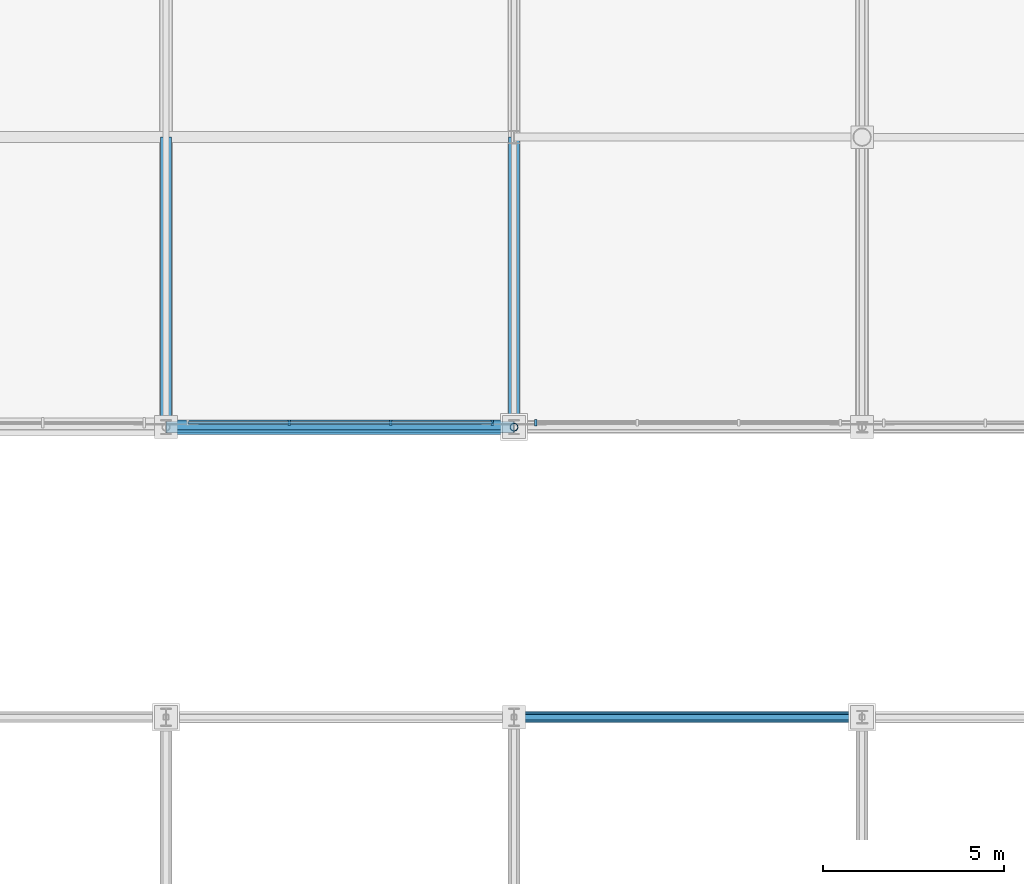
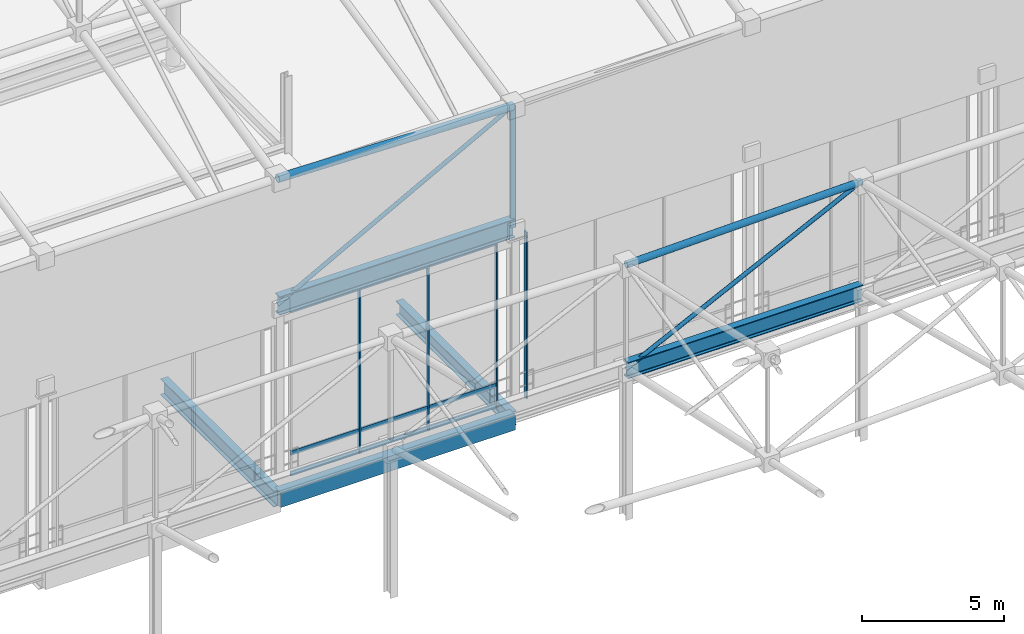
# One storey, part 97 of 193: 12 members, 5 beams, 2 elements without a shape of their own.
"""IFC4 building model written with IfcOpenShell, lengths in metres."""

from ifc_helpers import new_model, si_unit, direction, frame, origin, origin_2d, place, context, subcontext, project, spatial, rectangle, hollow_circle, i_section, extrude, material, material_profile, profile_set, type_object, element, aggregate, save


model = new_model("IFC4")

# Units and contexts
model_context = context("Model", 3, precision=1e-05, world=origin(), true_north=direction((0.0, 1.0)))
body_context = subcontext(model_context, "Body", "Model", "MODEL_VIEW")
ifc_project = project(units=[si_unit("LENGTHUNIT", "METRE"), si_unit("AREAUNIT", "SQUARE_METRE"), si_unit("VOLUMEUNIT", "CUBIC_METRE"), si_unit("PLANEANGLEUNIT", "RADIAN"), si_unit("MASSUNIT", "GRAM", prefix="KILO")], contexts=[model_context])

# Site, building, storey
site_placement = place(None, origin())
site = spatial("IfcSite", under=ifc_project, at=site_placement, CompositionType="ELEMENT")
building_placement = place(site_placement, origin())
building = spatial("IfcBuilding", under=site, at=building_placement, Name="Danafjord Basin Convention Centre", CompositionType="ELEMENT")
storey_placement = place(building_placement, frame((0.0, 0.0, 11.39990234375)))
storey = spatial("IfcBuildingStorey", under=building, at=storey_placement, Name="L02", CompositionType="ELEMENT", Elevation=11.39990234375)

# Beams
ifc_material_1 = material(Name="Steel S355", Category="steel")
ifc_material_profile_1 = material_profile(ifc_material_1, i_section(OverallWidth=0.300048828125, OverallDepth=0.60009765625, WebThickness=0.015380859375, FlangeThickness=0.030029296875, FilletRadius=0.027099609375, at=origin_2d()), Name="HEB 600")
ifc_profile_set_1 = profile_set([ifc_material_profile_1], Name="Steel S355")
beam_type_1 = type_object("IfcBeamType", Name="BEAM-BM-HEB600", PredefinedType="BEAM", material=ifc_profile_set_1)
beam_1_placement = place(storey_placement, frame((172.800048828125, 88.0, -0.659912109375), z_axis=(0.0, 1.0, 0.0), x_axis=(-1.0, 0.0, 0.0)))
element("IfcBeam", 1, at=beam_1_placement, inside=storey, type_object=beam_type_1, Name="L02 transverse girder BM-HEB600", PredefinedType="BEAM", context=body_context, shape_type="SweptSolid", body=[
    extrude(i_section(OverallWidth=0.300048828125, OverallDepth=0.60009765625, WebThickness=0.015380859375, FlangeThickness=0.030029296875, FilletRadius=0.027099609375, at=origin_2d()), origin(), (0.0, 0.0, 1.0), 8.0),
])
ifc_material_profile_2 = material_profile(ifc_material_1, i_section(OverallWidth=0.300048828125, OverallDepth=0.699951171875, WebThickness=0.01708984375, FlangeThickness=0.031982421875, FilletRadius=0.027099609375, at=origin_2d()), Name="HEB 700")
ifc_profile_set_2 = profile_set([ifc_material_profile_2], Name="Steel S355")
beam_type_2 = type_object("IfcBeamType", Name="BEAM-BM-HEB700", PredefinedType="BEAM", material=ifc_profile_set_2)
beam_2_placement = place(storey_placement, frame((163.199951171875, 88.0, -0.7099609375), z_axis=(0.0, 1.0, 0.0), x_axis=(-1.0, 0.0, 0.0)))
element("IfcBeam", 2, at=beam_2_placement, inside=storey, type_object=beam_type_2, Name="L02 transverse girder BM-HEB700", PredefinedType="BEAM", context=body_context, shape_type="SweptSolid", body=[
    extrude(i_section(OverallWidth=0.300048828125, OverallDepth=0.699951171875, WebThickness=0.01708984375, FlangeThickness=0.031982421875, FilletRadius=0.027099609375, at=origin_2d()), origin(), (0.0, 0.0, 1.0), 8.0),
])
beam_3_placement = place(storey_placement, frame((172.800048828125, 80.0, 6.35009765625), z_axis=(1.0, 0.0, 0.0), x_axis=(0.0, 1.0, 0.0)))
element("IfcBeam", 3, at=beam_3_placement, inside=storey, type_object=beam_type_2, Name="V3 space-frame perimeter ring girder", PredefinedType="BEAM", context=body_context, shape_type="SweptSolid", body=[
    extrude(i_section(OverallWidth=0.300048828125, OverallDepth=0.699951171875, WebThickness=0.01708984375, FlangeThickness=0.031982421875, FilletRadius=0.027099609375, at=origin_2d()), origin(), (0.0, 0.0, 1.0), 9.599853515625),
])
ifc_material_profile_3 = material_profile(ifc_material_1, i_section(OverallWidth=0.300048828125, OverallDepth=0.800048828125, WebThickness=0.017578125, FlangeThickness=0.032958984375, FilletRadius=0.030029296875, at=origin_2d()), Name="HEB 800")
ifc_profile_set_3 = profile_set([ifc_material_profile_3], Name="Steel S355")
beam_type_3 = type_object("IfcBeamType", Name="BEAM-BM-HEB800", PredefinedType="BEAM", material=ifc_profile_set_3)
beam_4_placement = place(storey_placement, frame((163.199951171875, 88.0, 7.650146484375), z_axis=(1.0, 0.0, 0.0), x_axis=(0.0, 1.0, 0.0)))
element("IfcBeam", 4, at=beam_4_placement, inside=storey, type_object=beam_type_3, Name="V2 space-frame perimeter ring girder", PredefinedType="BEAM", context=body_context, shape_type="SweptSolid", body=[
    extrude(i_section(OverallWidth=0.300048828125, OverallDepth=0.800048828125, WebThickness=0.017578125, FlangeThickness=0.032958984375, FilletRadius=0.030029296875, at=origin_2d()), origin(), (0.0, 0.0, 1.0), 9.60009765625),
])
ifc_material_2 = material(Name="Precast concrete C45/55", Category="concrete")
ifc_material_profile_4 = material_profile(ifc_material_2, rectangle(XDim=0.39990234375, YDim=0.64990234375, at=origin_2d()), Name="PCB 400x650")
ifc_profile_set_4 = profile_set([ifc_material_profile_4], Name="Precast concrete C45/55")
beam_type_4 = type_object("IfcBeamType", Name="BEAM-SP-PCB650", PredefinedType="SPANDREL", material=ifc_profile_set_4)
beam_5_placement = place(storey_placement, frame((163.199951171875, 88.0, -0.684814453125), z_axis=(1.0, 0.0, 0.0), x_axis=(0.0, 1.0, 0.0)))
element("IfcBeam", 5, at=beam_5_placement, inside=storey, type_object=beam_type_4, Name="L02 girder SP-PCB650", PredefinedType="SPANDREL", context=body_context, shape_type="SweptSolid", body=[
    extrude(rectangle(XDim=0.39990234375, YDim=0.64990234375, at=origin_2d()), origin(), (0.0, 0.0, 1.0), 9.60009765625),
])

# Members
ifc_material_profile_5 = material_profile(ifc_material_1, hollow_circle(Radius=0.136474609375, WallThickness=0.012451171875, at=origin_2d()), Name="CHS 273.0x12.5")
ifc_profile_set_5 = profile_set([ifc_material_profile_5], Name="Steel S355")
member_type_1 = type_object("IfcMemberType", Name="MEM-CH-CHS273", PredefinedType="CHORD", material=ifc_profile_set_5)
member_1_placement = place(storey_placement, frame((172.800048828125, 80.0, 10.85009765625), z_axis=(0.999725208244, 0.0, 0.023441586989), x_axis=(0.0, 1.0, 0.0)))
element("IfcMember", 6, at=member_1_placement, inside=storey, type_object=member_type_1, Name="V3 roof truss longitudinal top chord", PredefinedType="CHORD", context=body_context, shape_type="SweptSolid", body=[
    extrude(hollow_circle(Radius=0.136474609375, WallThickness=0.012451171875, at=origin_2d()), origin(), (0.0, 0.0, 1.0), 9.6025390625),
])
ifc_material_profile_6 = material_profile(ifc_material_1, hollow_circle(Radius=0.161865234375, WallThickness=0.01611328125, at=origin_2d()), Name="CHS 323.9x16.0")
ifc_profile_set_6 = profile_set([ifc_material_profile_6], Name="Steel S355")
member_type_2 = type_object("IfcMemberType", Name="MEM-CH-CHS324", PredefinedType="CHORD", material=ifc_profile_set_6)
member_2_placement = place(storey_placement, frame((163.199951171875, 88.0, 13.0751953125), z_axis=(0.999725222215, 0.0, -0.023440991172), x_axis=(0.0, 1.0, 0.0)))
element("IfcMember", 7, at=member_2_placement, inside=storey, type_object=member_type_2, Name="V2 roof truss longitudinal top chord", PredefinedType="CHORD", context=body_context, shape_type="SweptSolid", body=[
    extrude(hollow_circle(Radius=0.161865234375, WallThickness=0.01611328125, at=origin_2d()), origin(), (0.0, 0.0, 1.0), 9.602783203125),
])

# Curtain wall, members
ifc_material_3 = material(Name="Anodised aluminium and triple glazing", Category="aluminium")
curtain_wall_type = type_object("IfcCurtainWallType", Name="CW-CW-DRUM", PredefinedType="NOTDEFINED", material=ifc_material_3)
curtain_wall_1_placement = place(storey_placement, origin())
curtain_wall_1 = element("IfcCurtainWall", 8, at=curtain_wall_1_placement, inside=storey, type_object=curtain_wall_type, Name="L02 CW-DRUM unitised curtain wall bay 125", PredefinedType="NOTDEFINED")
ifc_material_4 = material(Name="Anodised aluminium EN AW-6060", Category="aluminium")
ifc_material_profile_7 = material_profile(ifc_material_4, rectangle(XDim=0.06005859375, YDim=0.139892578125, at=origin_2d()), Name="MULL 60x140")
ifc_profile_set_7 = profile_set([ifc_material_profile_7], Name="Anodised aluminium EN AW-6060")
member_type_3 = type_object("IfcMemberType", Name="MEM-ML-140", PredefinedType="MULLION", material=ifc_profile_set_7)
member_3_placement = place(storey_placement, frame((166.60009765625, 88.1201171875, -0.02490234375), z_axis=(0.0, 0.0, 1.0), x_axis=(1.0, 0.0, 0.0)))
member_3 = element("IfcMember", 9, at=member_3_placement, type_object=member_type_3, Name="CW-L02-125 mullion 2", PredefinedType="MULLION", context=body_context, shape_type="SweptSolid", body=[
    extrude(rectangle(XDim=0.06005859375, YDim=0.139892578125, at=origin_2d()), origin(), (0.0, 0.0, 1.0), 7.18505859375),
])
member_4_placement = place(storey_placement, frame((169.39990234375, 88.1201171875, -0.02490234375), z_axis=(0.0, 0.0, 1.0), x_axis=(1.0, 0.0, 0.0)))
member_4 = element("IfcMember", 10, at=member_4_placement, type_object=member_type_3, Name="CW-L02-125 mullion 3", PredefinedType="MULLION", context=body_context, shape_type="SweptSolid", body=[
    extrude(rectangle(XDim=0.06005859375, YDim=0.139892578125, at=origin_2d()), origin(), (0.0, 0.0, 1.0), 7.18505859375),
])
member_5_placement = place(storey_placement, frame((172.199951171875, 88.1201171875, -0.02490234375), z_axis=(0.0, 0.0, 1.0), x_axis=(1.0, 0.0, 0.0)))
member_5 = element("IfcMember", 11, at=member_5_placement, type_object=member_type_3, Name="CW-L02-125 mullion 4", PredefinedType="MULLION", context=body_context, shape_type="SweptSolid", body=[
    extrude(rectangle(XDim=0.06005859375, YDim=0.139892578125, at=origin_2d()), origin(), (0.0, 0.0, 1.0), 7.18505859375),
])

# Curtain wall, member
curtain_wall_2_placement = place(storey_placement, origin())
curtain_wall_2 = element("IfcCurtainWall", 12, at=curtain_wall_2_placement, inside=storey, type_object=curtain_wall_type, Name="L02 CW-DRUM unitised curtain wall bay 126", PredefinedType="NOTDEFINED")
ifc_material_profile_8 = material_profile(ifc_material_4, rectangle(XDim=0.06005859375, YDim=0.179931640625, at=origin_2d()), Name="MULL 60x180")
ifc_profile_set_8 = profile_set([ifc_material_profile_8], Name="Anodised aluminium EN AW-6060")
member_type_4 = type_object("IfcMemberType", Name="MEM-ML-180", PredefinedType="MULLION", material=ifc_profile_set_8)
member_6_placement = place(storey_placement, frame((173.39990234375, 88.1201171875, -0.02490234375), z_axis=(0.0, 0.0, 1.0), x_axis=(1.0, 0.0, 0.0)))
member_6 = element("IfcMember", 13, at=member_6_placement, type_object=member_type_4, Name="CW-L02-126 mullion 1", PredefinedType="MULLION", context=body_context, shape_type="SweptSolid", body=[
    extrude(rectangle(XDim=0.06005859375, YDim=0.179931640625, at=origin_2d()), origin(), (0.0, 0.0, 1.0), 7.18505859375),
])
aggregate(curtain_wall_2, [member_6])

# Member
ifc_material_profile_9 = material_profile(ifc_material_1, hollow_circle(Radius=0.109619140625, WallThickness=0.010009765625, at=origin_2d()), Name="CHS 219.1x10.0")
ifc_profile_set_9 = profile_set([ifc_material_profile_9], Name="Steel S355")
member_type_5 = type_object("IfcMemberType", Name="MEM-ST-CHS219", PredefinedType="STRUT", material=ifc_profile_set_9)
member_7_placement = place(storey_placement, frame((172.800048828125, 88.0, 7.650146484375), z_axis=(0.0, 0.0, 1.0), x_axis=(1.0, 0.0, 0.0)))
element("IfcMember", 14, at=member_7_placement, inside=storey, type_object=member_type_5, Name="V2 roof truss vertical strut", PredefinedType="STRUT", context=body_context, shape_type="SweptSolid", body=[
    extrude(hollow_circle(Radius=0.109619140625, WallThickness=0.010009765625, at=origin_2d()), origin(), (0.0, 0.0, 1.0), 5.199951171875),
])

ifc_material_profile_10 = material_profile(ifc_material_4, rectangle(XDim=0.06494140625, YDim=0.18994140625, at=origin_2d()), Name="TRAN 65x190")
ifc_profile_set_10 = profile_set([ifc_material_profile_10], Name="Anodised aluminium EN AW-6060")
member_type_6 = type_object("IfcMemberType", Name="MEM-TR-190", PredefinedType="USERDEFINED", material=ifc_profile_set_10)
member_8_placement = place(storey_placement, frame((163.800048828125, 88.1201171875, 0.06005859375), z_axis=(1.0, 0.0, 0.0), x_axis=(0.0, 1.0, 0.0)))
member_8 = element("IfcMember", 15, at=member_8_placement, type_object=member_type_6, Name="CW-L02-125 transom 1", ObjectType="TRANSOM", PredefinedType="USERDEFINED", context=body_context, shape_type="SweptSolid", body=[
    extrude(rectangle(XDim=0.06494140625, YDim=0.18994140625, at=origin_2d()), origin(), (0.0, 0.0, 1.0), 8.39990234375),
])

member_9_placement = place(storey_placement, frame((163.800048828125, 88.1201171875, 0.9501953125), z_axis=(1.0, 0.0, 0.0), x_axis=(0.0, 1.0, 0.0)))
member_9 = element("IfcMember", 16, at=member_9_placement, type_object=member_type_6, Name="CW-L02-125 transom 2", ObjectType="TRANSOM", PredefinedType="USERDEFINED", context=body_context, shape_type="SweptSolid", body=[
    extrude(rectangle(XDim=0.06494140625, YDim=0.18994140625, at=origin_2d()), origin(), (0.0, 0.0, 1.0), 8.39990234375),
])

member_10_placement = place(storey_placement, frame((163.800048828125, 88.1201171875, 7.090087890625), z_axis=(1.0, 0.0, 0.0), x_axis=(0.0, 1.0, 0.0)))
member_10 = element("IfcMember", 17, at=member_10_placement, type_object=member_type_6, Name="CW-L02-125 transom 3", ObjectType="TRANSOM", PredefinedType="USERDEFINED", context=body_context, shape_type="SweptSolid", body=[
    extrude(rectangle(XDim=0.06494140625, YDim=0.18994140625, at=origin_2d()), origin(), (0.0, 0.0, 1.0), 8.39990234375),
])

aggregate(curtain_wall_1, [member_3, member_4, member_5, member_8, member_9, member_10])

# Members
ifc_material_profile_11 = material_profile(ifc_material_1, hollow_circle(Radius=0.084228515625, WallThickness=0.008056640625, at=origin_2d()), Name="CHS 168.3x8.0")
ifc_profile_set_11 = profile_set([ifc_material_profile_11], Name="Steel S355")
member_type_7 = type_object("IfcMemberType", Name="MEM-WB-CHS168", PredefinedType="MEMBER", material=ifc_profile_set_11)
member_11_placement = place(storey_placement, frame((163.199951171875, 88.0, 7.650146484375), z_axis=(0.879295868501, 0.0, 0.476275944845), x_axis=(0.0, 1.0, 0.0)))
element("IfcMember", 18, at=member_11_placement, inside=storey, type_object=member_type_7, Name="V2 space-frame longitudinal web", PredefinedType="MEMBER", context=body_context, shape_type="SweptSolid", body=[
    extrude(hollow_circle(Radius=0.084228515625, WallThickness=0.008056640625, at=origin_2d()), origin(), (0.0, 0.0, 1.0), 10.91796875),
])
member_12_placement = place(storey_placement, frame((172.800048828125, 80.0, 6.35009765625), z_axis=(0.897207118397, 0.0, 0.441609993883), x_axis=(0.0, 1.0, 0.0)))
element("IfcMember", 19, at=member_12_placement, inside=storey, type_object=member_type_7, Name="V3 space-frame longitudinal web", PredefinedType="MEMBER", context=body_context, shape_type="SweptSolid", body=[
    extrude(hollow_circle(Radius=0.084228515625, WallThickness=0.008056640625, at=origin_2d()), origin(), (0.0, 0.0, 1.0), 10.69970703125),
])

save(model, "model.ifc")
